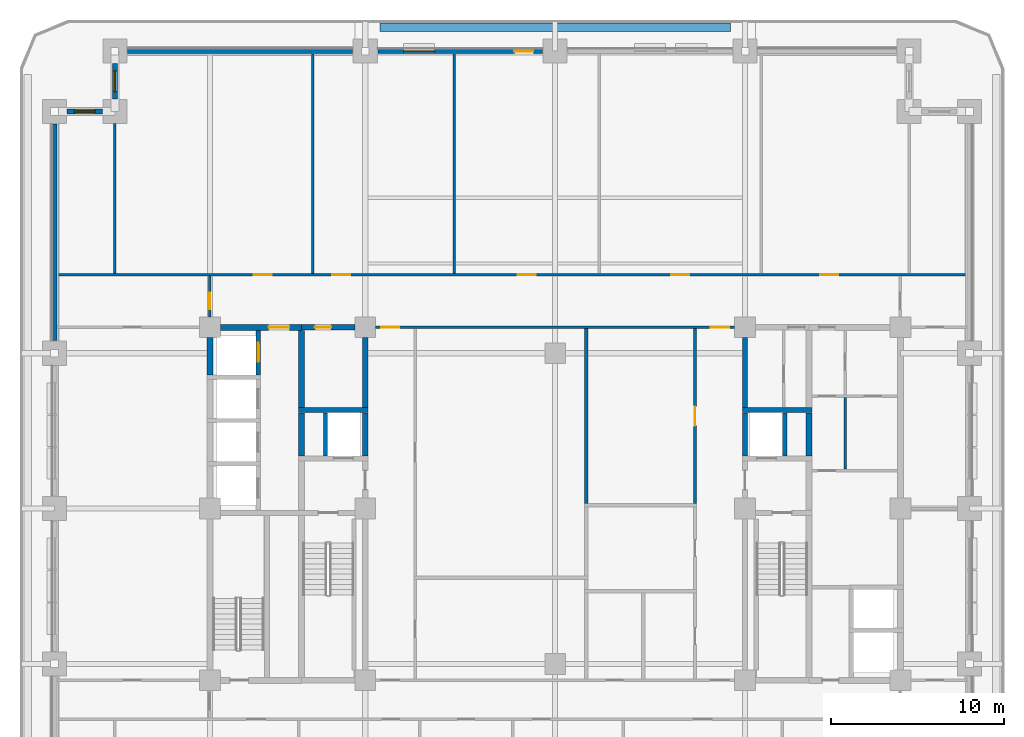
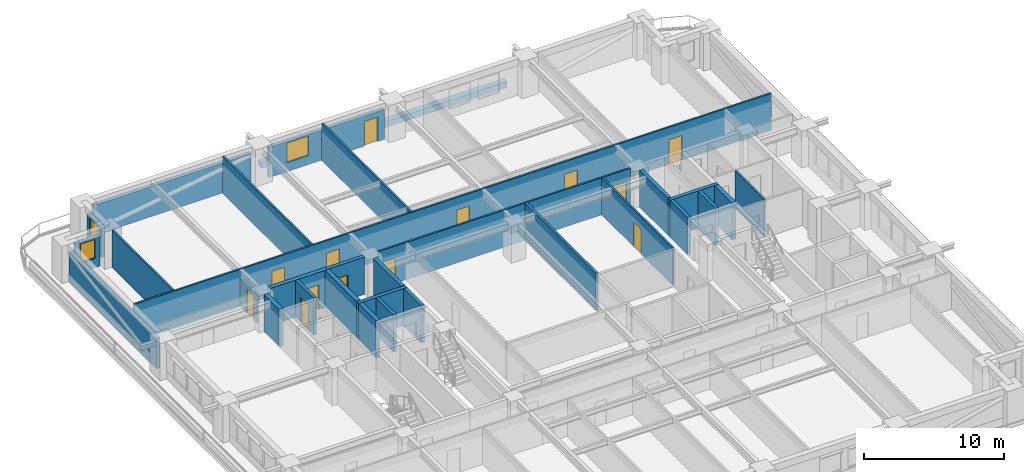
# One storey, part 5 of 16: 30 walls, 13 doors, 3 windows, 16 openings.
"""IFC4 building model written with IfcOpenShell, lengths in metres."""

import ifcopenshell
import ifcopenshell.guid

model = None  # the IFC model being written
_history = None  # IfcOwnerHistory: only IFC2X3 demands one
_inside = {}  # id of a spatial element -> (the spatial element, [elements in it])
_under = {}  # id of a project, library or spatial element -> (it, [spatial elements below it])
_declared = {}  # id of a project -> (the project, [libraries it declares])
_typed = {}  # id of a type object -> (the type object, [elements of that type])
_made_of = {}  # id of a material, layer set ... -> (it, [elements and type objects made of it])


def new_model(schema):
    """Start an empty IFC model of exactly this schema.

    Asked for "IFC4X3", IfcOpenShell would pick the latest addendum, in which some entities
    have other attributes; the version numbers below select the first issue.
    IFC2X3 requires an IfcOwnerHistory on every rooted entity: one is made here for all.
    """
    global model, _history
    if schema == "IFC4X3":
        model = ifcopenshell.file(schema_version=(4, 3, 0, 0))
    else:
        model = ifcopenshell.file(schema=schema)
    _inside.clear()
    _under.clear()
    _declared.clear()
    _typed.clear()
    _made_of.clear()
    _history = None
    if model.schema == "IFC2X3":
        org = make("IfcOrganization", Name="unknown")
        user = make(
            "IfcPersonAndOrganization",
            ThePerson=make("IfcPerson", FamilyName="unknown"),
            TheOrganization=org,
        )
        app = make(
            "IfcApplication",
            ApplicationDeveloper=org,
            Version="unknown",
            ApplicationFullName="unknown",
            ApplicationIdentifier="unknown",
        )
        _history = make(
            "IfcOwnerHistory",
            OwningUser=user,
            OwningApplication=app,
            ChangeAction="ADDED",
            CreationDate=0,
        )
    return model


def make(cls, **values):
    """One entity of the class cls with the attributes given. An attribute that is None is left unset."""
    return model.create_entity(
        cls, **{name: value for name, value in values.items() if value is not None}
    )


def rooted(cls, **values):
    """An entity with a GlobalId (a new one), such as an element, a storey or a relation."""
    return make(cls, GlobalId=ifcopenshell.guid.new(), OwnerHistory=_history, **values)


def si_unit(unit_type, name, prefix=None):
    """IfcSIUnit, for example si_unit("LENGTHUNIT", "METRE", prefix="MILLI")."""
    return make("IfcSIUnit", UnitType=unit_type, Prefix=prefix, Name=name)


def assignment(units):
    """IfcUnitAssignment: the units of a project."""
    return None if units is None else make("IfcUnitAssignment", Units=units)


def point(xyz):
    """IfcCartesianPoint."""
    return None if xyz is None else make("IfcCartesianPoint", Coordinates=xyz)


def direction(xyz):
    """IfcDirection."""
    return None if xyz is None else make("IfcDirection", DirectionRatios=xyz)


def frame(location, z_axis=None, x_axis=None):
    """IfcAxis2Placement3D, a coordinate frame: its origin and axes. An axis left out is left unset."""
    return make(
        "IfcAxis2Placement3D",
        Location=point(location),
        Axis=direction(z_axis),
        RefDirection=direction(x_axis),
    )


def frame_2d(location, x_axis=None):
    """IfcAxis2Placement2D, a coordinate frame in the plane: its origin and x axis."""
    return make(
        "IfcAxis2Placement2D", Location=point(location), RefDirection=direction(x_axis)
    )


def origin():
    """The frame at (0, 0, 0) with its axes left unset."""
    return frame((0.0, 0.0, 0.0))


def place(relative_to, where):
    """IfcLocalPlacement: puts the frame where relative to a parent placement (None: the world)."""
    return make(
        "IfcLocalPlacement", PlacementRelTo=relative_to, RelativePlacement=where
    )


def context(
    kind, dimensions, precision=None, world=None, true_north=None, identifier=None
):
    """IfcGeometricRepresentationContext, for example the 3D "Model" context."""
    return make(
        "IfcGeometricRepresentationContext",
        ContextIdentifier=identifier,
        ContextType=kind,
        CoordinateSpaceDimension=dimensions,
        Precision=precision,
        WorldCoordinateSystem=world,
        TrueNorth=true_north,
    )


def subcontext(parent, identifier, kind, view, scale=None):
    """IfcGeometricRepresentationSubContext, for example "Body" below "Model"."""
    return make(
        "IfcGeometricRepresentationSubContext",
        ContextIdentifier=identifier,
        ContextType=kind,
        ParentContext=parent,
        TargetScale=scale,
        TargetView=view,
    )


def project(units=None, contexts=None):
    """IfcProject with its units and contexts."""
    return rooted(
        "IfcProject",
        Name="project",
        RepresentationContexts=contexts,
        UnitsInContext=assignment(units),
    )


def spatial(cls, under=None, at=None, **own):
    """A site, building, storey or space (cls), placed at a placement, below another one or the project."""
    s = rooted(cls, ObjectPlacement=at, **own)
    if under is not None:
        _under.setdefault(under.id(), (under, []))[1].append(s)
    return s


def profile(cls, at=None, kind="AREA", **sizes):
    """A parametric profile (cls). Its sizes go by their IFC names, for example OverallWidth=200.0."""
    return make(cls, ProfileType=kind, Position=at, **sizes)


def rectangle(**sizes):
    """IfcRectangleProfileDef."""
    return profile("IfcRectangleProfileDef", **sizes)


def extrude(swept, where, along, depth):
    """IfcExtrudedAreaSolid: the profile swept, set in the frame where, extruded along a direction by depth."""
    return make(
        "IfcExtrudedAreaSolid",
        SweptArea=swept,
        Position=where,
        ExtrudedDirection=direction(along),
        Depth=depth,
    )


def shape(context_of_items, identifier, shape_type, items):
    """IfcShapeRepresentation: the items that make up one representation, for example the "Body"."""
    return make(
        "IfcShapeRepresentation",
        ContextOfItems=context_of_items,
        RepresentationIdentifier=identifier,
        RepresentationType=shape_type,
        Items=items,
    )


def material(Name=None, Category=None):
    """IfcMaterial."""
    return make("IfcMaterial", Name=Name, Category=Category)


def layer(
    of_material, thickness, ventilated=None, Name=None, Category=None, Priority=None
):
    """IfcMaterialLayer: one layer of a wall or slab, of a material (None: an air gap)."""
    return make(
        "IfcMaterialLayer",
        Material=of_material,
        LayerThickness=thickness,
        IsVentilated=ventilated,
        Name=Name,
        Category=Category,
        Priority=Priority,
    )


def layer_set(layers, Name=None):
    """IfcMaterialLayerSet."""
    return make("IfcMaterialLayerSet", MaterialLayers=layers, LayerSetName=Name)


def made_of(thing, what):
    """Note that an element or type object is made of a material, layer set ...; save() writes the relation."""
    if what is not None:
        _made_of.setdefault(what.id(), (what, []))[1].append(thing)
    return thing


def type_object(cls, material=None, **own):
    """A type object (cls), such as IfcWallType, which elements share."""
    return made_of(rooted(cls, **own), material)


def element(
    cls,
    number,
    at=None,
    inside=None,
    cuts=None,
    type_object=None,
    material=None,
    context=None,
    identifier="Body",
    shape_type=None,
    held_by="IfcProductDefinitionShape",
    body=None,
    shapes=None,
    **own,
):
    """One element of the class cls, such as IfcWall. Its Tag is "e" and its number.

    at: its placement. inside: the storey or other place that contains it. cuts: it is an
    opening in that element (IfcRelVoidsElement). A single representation is given by context,
    identifier, shape_type and body (its items); several are given by shapes. held_by: the class
    of the entity that holds the representations. save() writes the other relations.
    """
    e = rooted(cls, Tag="e%d" % number, ObjectPlacement=at, **own)
    if body is not None:
        shapes = [shape(context, identifier, shape_type, body)]
    if shapes is not None:
        e.Representation = make(held_by, Representations=shapes)
    if inside is not None:
        _inside.setdefault(inside.id(), (inside, []))[1].append(e)
    if cuts is not None:
        rooted(
            "IfcRelVoidsElement", RelatingBuildingElement=cuts, RelatedOpeningElement=e
        )
    if type_object is not None:
        _typed.setdefault(type_object.id(), (type_object, []))[1].append(e)
    return made_of(e, material)


def fill(opening, filler):
    """IfcRelFillsElement: the door or window that sits in an opening."""
    return rooted(
        "IfcRelFillsElement",
        RelatingOpeningElement=opening,
        RelatedBuildingElement=filler,
    )


def aggregate(whole, parts):
    """IfcRelAggregates: a whole, such as a stair, and the parts it consists of."""
    return rooted("IfcRelAggregates", RelatingObject=whole, RelatedObjects=parts)


def save(model, path):
    """Write the relations noted so far, then the file.

    IfcRelAggregates (storeys below a building ...), IfcRelContainedInSpatialStructure (elements
    in a storey), IfcRelDefinesByType, IfcRelAssociatesMaterial and IfcRelDeclares: one each for
    every whole, place, type object, material and project.
    """
    for whole, parts in _under.values():
        aggregate(whole, parts)
    for where, things in _inside.values():
        rooted(
            "IfcRelContainedInSpatialStructure",
            RelatedElements=things,
            RelatingStructure=where,
        )
    for kind, things in _typed.values():
        rooted("IfcRelDefinesByType", RelatedObjects=things, RelatingType=kind)
    for what, things in _made_of.values():
        rooted("IfcRelAssociatesMaterial", RelatedObjects=things, RelatingMaterial=what)
    for by, libraries in _declared.values():
        rooted("IfcRelDeclares", RelatingContext=by, RelatedDefinitions=libraries)
    model.write(path)


model = new_model("IFC4")

# Units and contexts
model_context = context("Model", 3, precision=1e-05, world=origin(), true_north=direction((0.0, 1.0)))
body_context = subcontext(model_context, "Body", "Model", "MODEL_VIEW")
ifc_project = project(units=[si_unit("LENGTHUNIT", "METRE"), si_unit("AREAUNIT", "SQUARE_METRE"), si_unit("VOLUMEUNIT", "CUBIC_METRE"), si_unit("PLANEANGLEUNIT", "RADIAN"), si_unit("MASSUNIT", "GRAM", prefix="KILO")], contexts=[model_context])

# Site, building, storey
site_placement = place(None, origin())
site = spatial("IfcSite", under=ifc_project, at=site_placement, CompositionType="ELEMENT")
building_placement = place(site_placement, origin())
building = spatial("IfcBuilding", under=site, at=building_placement, Name="Zulmaris Gate Convention Tower", CompositionType="ELEMENT")
storey_placement = place(building_placement, frame((0.0, 0.0, 67.89990234375)))
storey = spatial("IfcBuildingStorey", under=building, at=storey_placement, Name="L16", CompositionType="ELEMENT", Elevation=67.89990234375)

# Wall, opening, door
ifc_material_1 = material(Name="Concrete C50/60", Category="concrete")
ifc_layer_1 = layer(ifc_material_1, 0.25, Name="Concrete C50/60")
ifc_layer_set_1 = layer_set([ifc_layer_1], Name="Concrete C50/60")
wall_type_1 = type_object("IfcWallType", Name="CORE-250", PredefinedType="SOLIDWALL", material=ifc_layer_set_1)
wall_1_placement = place(storey_placement, frame((-17.199951171875, 7.72705078125, 0.0), z_axis=(0.0, 0.0, 1.0), x_axis=(0.0, 1.0, 0.0)))
wall_1 = element("IfcWall", 1, at=wall_1_placement, inside=storey, type_object=wall_type_1, Name="WL-L16-043", PredefinedType="SOLIDWALL", context=body_context, shape_type="SweptSolid", body=[
    extrude(rectangle(XDim=2.595947265625, YDim=0.25, at=frame_2d((1.2978515625, 0.0))), origin(), (0.0, 0.0, 1.0), 3.2451171875),
])
opening_1_placement = place(wall_1_placement, frame((0.77294921875, 0.0, 0.0)))
opening_1 = element("IfcOpeningElement", 2, at=opening_1_placement, cuts=wall_1, Name="Opening D-06", PredefinedType="OPENING", context=body_context, shape_type="SweptSolid", body=[
    extrude(rectangle(XDim=1.10009765625, YDim=2.199951171875, at=frame_2d((0.550048828125, 1.10009765625))), frame((0.0, 0.135009765625, 0.0), z_axis=(0.0, -1.0, 0.0), x_axis=(1.0, 0.0, 0.0)), (0.0, 0.0, 1.0), 0.27001953125),
])
ifc_material_2 = material(Name="Brushed Stainless Steel", Category="steel")
door_type_1 = type_object("IfcDoorType", Name="LD-1100", OperationType="NOTDEFINED", PredefinedType="DOOR", material=ifc_material_2)
door_1_placement = place(opening_1_placement, origin())
door_1 = element("IfcDoor", 3, at=door_1_placement, inside=storey, type_object=door_type_1, Name="L16 Lift Landing Door LP-04 15", OperationType="SLIDING_TO_LEFT", OverallHeight=2.199951171875, OverallWidth=1.10009765625, PredefinedType="DOOR", context=body_context, shape_type="SweptSolid", body=[
    extrude(rectangle(XDim=1.10009765625, YDim=2.199951171875, at=frame_2d((0.550048828125, 1.10009765625))), frame((0.0, 0.02490234375, 0.0), z_axis=(0.0, -1.0, 0.0), x_axis=(1.0, 0.0, 0.0)), (0.0, 0.0, 1.0), 0.050048828125),
])
fill(opening_1, door_1)

# Walls
for number, where, z_axis, x_axis, name in (
    (4, (-13.300048828125, 3.052001953125, 0.0), (0.0, 0.0, 1.0), (0.0, 1.0, 0.0), "WL-L16-049"),
    (5, (13.300048828125, 3.052001953125, 0.0), (0.0, 0.0, 1.0), (0.0, 1.0, 0.0), "WL-L16-060"),
):
    element("IfcWall", number, at=place(storey_placement, frame(where, z_axis=z_axis, x_axis=x_axis)), inside=storey, type_object=wall_type_1, Name=name, PredefinedType="SOLIDWALL", context=body_context, shape_type="SweptSolid", body=[
        extrude(rectangle(XDim=2.49609375, YDim=0.25, at=frame_2d((1.248046875, 0.0))), origin(), (0.0, 0.0, 1.0), 3.2451171875),
    ])
ifc_layer_2 = layer(ifc_material_1, 0.300048828125, Name="Concrete C50/60")
ifc_layer_set_2 = layer_set([ifc_layer_2], Name="Concrete C50/60")
wall_type_2 = type_object("IfcWallType", Name="CORE-300", PredefinedType="SHEAR", material=ifc_layer_set_2)
for number, where, z_axis, x_axis, name in (
    (6, (-14.875, 5.699951171875, 0.0), (0.0, 0.0, 1.0), (1.0, 0.0, 0.0), "WL-L16-013"),
    (7, (10.85009765625, 5.699951171875, 0.0), (0.0, 0.0, 1.0), (1.0, 0.0, 0.0), "WL-L16-014"),
):
    element("IfcWall", number, at=place(storey_placement, frame(where, z_axis=z_axis, x_axis=x_axis)), inside=storey, type_object=wall_type_2, Name=name, PredefinedType="SHEAR", context=body_context, shape_type="SweptSolid", body=[
        extrude(rectangle(XDim=4.02490234375, YDim=0.300048828125, at=frame_2d((2.012451171875, 0.0))), origin(), (0.0, 0.0, 1.0), 3.2451171875),
    ])

# Wall, opening, door
wall_2_placement = place(storey_placement, frame((-14.699951171875, 10.5, 0.0), z_axis=(0.0, 0.0, 1.0), x_axis=(1.0, 0.0, 0.0)))
wall_2 = element("IfcWall", 8, at=wall_2_placement, inside=storey, type_object=wall_type_2, Name="WL-L16-017", PredefinedType="SHEAR", context=body_context, shape_type="SweptSolid", body=[
    extrude(rectangle(XDim=3.095947265625, YDim=0.300048828125, at=frame_2d((1.5478515625, 0.0))), origin(), (0.0, 0.0, 1.0), 3.2451171875),
])
opening_2_placement = place(wall_2_placement, frame((0.77490234375, 0.0, 0.0)))
opening_2 = element("IfcOpeningElement", 9, at=opening_2_placement, cuts=wall_2, Name="Opening D-11", PredefinedType="OPENING", context=body_context, shape_type="SweptSolid", body=[
    extrude(rectangle(XDim=0.949951171875, YDim=2.14990234375, at=frame_2d((0.47509765625, 1.074951171875))), frame((0.0, 0.16015625, 0.0), z_axis=(0.0, -1.0, 0.0), x_axis=(1.0, 0.0, 0.0)), (0.0, 0.0, 1.0), 0.320068359375),
])
ifc_material_3 = material(Name="Fire-Rated Timber", Category="wood")
door_type_2 = type_object("IfcDoorType", Name="DR-950-FD", OperationType="NOTDEFINED", PredefinedType="DOOR", material=ifc_material_3)
door_2_placement = place(opening_2_placement, origin())
door_2 = element("IfcDoor", 10, at=door_2_placement, inside=storey, type_object=door_type_2, Name="L16 Core Archive Door 07", OperationType="SINGLE_SWING_RIGHT", OverallHeight=2.14990234375, OverallWidth=0.949951171875, PredefinedType="DOOR", context=body_context, shape_type="SweptSolid", body=[
    extrude(rectangle(XDim=0.949951171875, YDim=2.14990234375, at=frame_2d((0.47509765625, 1.074951171875))), frame((0.0, 0.02490234375, 0.0), z_axis=(0.0, -1.0, 0.0), x_axis=(1.0, 0.0, 0.0)), (0.0, 0.0, 1.0), 0.050048828125),
])
fill(opening_2, door_2)

# Walls
wall_3_placement = place(storey_placement, frame((-11.0, 3.052001953125, 0.0), z_axis=(0.0, 0.0, 1.0), x_axis=(0.0, 1.0, 0.0)))
element("IfcWall", 11, at=wall_3_placement, inside=storey, type_object=wall_type_2, Name="WL-L16-053", PredefinedType="SHEAR", context=body_context, shape_type="SweptSolid", body=[
    extrude(rectangle(XDim=2.49609375, YDim=0.300048828125, at=frame_2d((1.248046875, 0.0))), origin(), (0.0, 0.0, 1.0), 3.2451171875),
])
wall_4_placement = place(storey_placement, frame((-11.0, 5.85205078125, 0.0), z_axis=(0.0, 0.0, 1.0), x_axis=(0.0, 1.0, 0.0)))
element("IfcWall", 12, at=wall_4_placement, inside=storey, type_object=wall_type_2, Name="WL-L16-054", PredefinedType="SHEAR", context=body_context, shape_type="SweptSolid", body=[
    extrude(rectangle(XDim=4.0439453125, YDim=0.300048828125, at=frame_2d((2.02197265625, 0.0))), origin(), (0.0, 0.0, 1.0), 3.2451171875),
])
wall_5_placement = place(storey_placement, frame((11.0, 3.052001953125, 0.0), z_axis=(0.0, 0.0, 1.0), x_axis=(0.0, 1.0, 0.0)))
element("IfcWall", 13, at=wall_5_placement, inside=storey, type_object=wall_type_2, Name="WL-L16-057", PredefinedType="SHEAR", context=body_context, shape_type="SweptSolid", body=[
    extrude(rectangle(XDim=2.49609375, YDim=0.300048828125, at=frame_2d((1.248046875, 0.0))), origin(), (0.0, 0.0, 1.0), 3.2451171875),
])
wall_6_placement = place(storey_placement, frame((11.0, 5.85205078125, 0.0), z_axis=(0.0, 0.0, 1.0), x_axis=(0.0, 1.0, 0.0)))
element("IfcWall", 14, at=wall_6_placement, inside=storey, type_object=wall_type_2, Name="WL-L16-058", PredefinedType="SHEAR", context=body_context, shape_type="SweptSolid", body=[
    extrude(rectangle(XDim=4.0439453125, YDim=0.300048828125, at=frame_2d((2.02197265625, 0.0))), origin(), (0.0, 0.0, 1.0), 3.2451171875),
])

# Wall, opening, door
ifc_material_4 = material(Name="Concrete C55/67", Category="concrete")
ifc_layer_3 = layer(ifc_material_4, 0.35009765625, Name="Concrete C55/67")
ifc_layer_set_3 = layer_set([ifc_layer_3], Name="Concrete C55/67")
wall_type_3 = type_object("IfcWallType", Name="CORE-350", PredefinedType="SHEAR", material=ifc_layer_set_3)
wall_7_placement = place(storey_placement, frame((-19.39599609375, 10.5, 0.0), z_axis=(0.0, 0.0, 1.0), x_axis=(1.0, 0.0, 0.0)))
wall_7 = element("IfcWall", 15, at=wall_7_placement, inside=storey, type_object=wall_type_3, Name="WL-L16-016", PredefinedType="SHEAR", context=body_context, shape_type="SweptSolid", body=[
    extrude(rectangle(XDim=4.696044921875, YDim=0.35009765625, at=frame_2d((2.34814453125, 0.0))), origin(), (0.0, 0.0, 1.0), 3.2451171875),
])
opening_3_placement = place(wall_7_placement, frame((2.7958984375, 0.0, 0.0)))
opening_3 = element("IfcOpeningElement", 16, at=opening_3_placement, cuts=wall_7, Name="Opening D-13", PredefinedType="OPENING", context=body_context, shape_type="SweptSolid", body=[
    extrude(rectangle(XDim=1.199951171875, YDim=2.14990234375, at=frame_2d((0.60009765625, 1.074951171875))), frame((0.0, 0.18505859375, 0.0), z_axis=(0.0, -1.0, 0.0), x_axis=(1.0, 0.0, 0.0)), (0.0, 0.0, 1.0), 0.3701171875),
])
ifc_material_5 = material(Name="Fire-Rated Steel", Category="steel")
door_type_3 = type_object("IfcDoorType", Name="DR-1200-FD", OperationType="NOTDEFINED", PredefinedType="DOOR", material=ifc_material_5)
door_3_placement = place(opening_3_placement, origin())
door_3 = element("IfcDoor", 17, at=door_3_placement, inside=storey, type_object=door_type_3, Name="L16 Low-Rise Lift Lobby Door 11", OperationType="SINGLE_SWING_RIGHT", OverallHeight=2.14990234375, OverallWidth=1.199951171875, PredefinedType="DOOR", context=body_context, shape_type="SweptSolid", body=[
    extrude(rectangle(XDim=1.199951171875, YDim=2.14990234375, at=frame_2d((0.60009765625, 1.074951171875))), frame((0.0, 0.02490234375, 0.0), z_axis=(0.0, -1.0, 0.0), x_axis=(1.0, 0.0, 0.0)), (0.0, 0.0, 1.0), 0.050048828125),
])
fill(opening_3, door_3)

# Walls
wall_8_placement = place(storey_placement, frame((-20.0, 7.72705078125, 0.0), z_axis=(0.0, 0.0, 1.0), x_axis=(0.0, 1.0, 0.0)))
element("IfcWall", 18, at=wall_8_placement, inside=storey, type_object=wall_type_3, Name="WL-L16-039", PredefinedType="SHEAR", context=body_context, shape_type="SweptSolid", body=[
    extrude(rectangle(XDim=2.1689453125, YDim=0.35009765625, at=frame_2d((1.08447265625, 0.0))), origin(), (0.0, 0.0, 1.0), 3.2451171875),
])
wall_9_placement = place(storey_placement, frame((-14.699951171875, 3.052001953125, 0.0), z_axis=(0.0, 0.0, 1.0), x_axis=(0.0, 1.0, 0.0)))
element("IfcWall", 19, at=wall_9_placement, inside=storey, type_object=wall_type_3, Name="WL-L16-047", PredefinedType="SHEAR", context=body_context, shape_type="SweptSolid", body=[
    extrude(rectangle(XDim=2.49609375, YDim=0.35009765625, at=frame_2d((1.248046875, 0.0))), origin(), (0.0, 0.0, 1.0), 3.2451171875),
])
wall_10_placement = place(storey_placement, frame((-14.699951171875, 5.85205078125, 0.0), z_axis=(0.0, 0.0, 1.0), x_axis=(0.0, 1.0, 0.0)))
element("IfcWall", 20, at=wall_10_placement, inside=storey, type_object=wall_type_3, Name="WL-L16-048", PredefinedType="SHEAR", context=body_context, shape_type="SweptSolid", body=[
    extrude(rectangle(XDim=4.470947265625, YDim=0.35009765625, at=frame_2d((2.2353515625, 0.0))), origin(), (0.0, 0.0, 1.0), 3.2451171875),
])
wall_11_placement = place(storey_placement, frame((14.699951171875, 3.052001953125, 0.0), z_axis=(0.0, 0.0, 1.0), x_axis=(0.0, 1.0, 0.0)))
element("IfcWall", 21, at=wall_11_placement, inside=storey, type_object=wall_type_3, Name="WL-L16-063", PredefinedType="SHEAR", context=body_context, shape_type="SweptSolid", body=[
    extrude(rectangle(XDim=2.49609375, YDim=0.35009765625, at=frame_2d((1.248046875, 0.0))), origin(), (0.0, 0.0, 1.0), 3.2451171875),
])

# Wall, openings, doors
ifc_material_6 = material(Name="Gypsum Metal Stud Partition")
ifc_layer_4 = layer(ifc_material_6, 0.14990234375, Name="Gypsum Metal Stud Partition")
ifc_layer_set_4 = layer_set([ifc_layer_4], Name="Gypsum Metal Stud Partition")
wall_type_4 = type_object("IfcWallType", Name="PART-150", PredefinedType="PARTITIONING", material=ifc_layer_set_4)
wall_12_placement = place(storey_placement, frame((-10.39404296875, 10.5, 0.0), z_axis=(0.0, 0.0, 1.0), x_axis=(1.0, 0.0, 0.0)))
wall_12 = element("IfcWall", 22, at=wall_12_placement, inside=storey, type_object=wall_type_4, Name="WL-L16-032", PredefinedType="PARTITIONING", context=body_context, shape_type="SweptSolid", body=[
    extrude(rectangle(XDim=20.7880859375, YDim=0.14990234375, at=frame_2d((10.39404296875, 0.0))), origin(), (0.0, 0.0, 1.0), 3.2451171875),
])
opening_4_placement = place(wall_12_placement, frame((0.319091796875, 0.0, 0.0)))
opening_4 = element("IfcOpeningElement", 23, at=opening_4_placement, cuts=wall_12, Name="Opening D-09", PredefinedType="OPENING", context=body_context, shape_type="SweptSolid", body=[
    extrude(rectangle(XDim=1.050048828125, YDim=2.14990234375, at=frame_2d((0.52490234375, 1.074951171875))), frame((0.0, 0.0849609375, 0.0), z_axis=(0.0, -1.0, 0.0), x_axis=(1.0, 0.0, 0.0)), (0.0, 0.0, 1.0), 0.169921875),
])
opening_5_placement = place(wall_12_placement, frame((19.4189453125, 0.0, 0.0)))
opening_5 = element("IfcOpeningElement", 24, at=opening_5_placement, cuts=wall_12, Name="Opening D-09", PredefinedType="OPENING", context=body_context, shape_type="SweptSolid", body=[
    extrude(rectangle(XDim=1.050048828125, YDim=2.14990234375, at=frame_2d((0.52490234375, 1.074951171875))), frame((0.0, 0.0849609375, 0.0), z_axis=(0.0, -1.0, 0.0), x_axis=(1.0, 0.0, 0.0)), (0.0, 0.0, 1.0), 0.169921875),
])
door_type_4 = type_object("IfcDoorType", Name="DR-1050-FD", OperationType="NOTDEFINED", PredefinedType="DOOR", material=ifc_material_5)
door_4_placement = place(opening_4_placement, origin())
door_4 = element("IfcDoor", 25, at=door_4_placement, inside=storey, type_object=door_type_4, Name="L16 NW Spine Link Door 22", OperationType="SINGLE_SWING_LEFT", OverallHeight=2.14990234375, OverallWidth=1.050048828125, PredefinedType="DOOR", context=body_context, shape_type="SweptSolid", body=[
    extrude(rectangle(XDim=1.050048828125, YDim=2.14990234375, at=frame_2d((0.52490234375, 1.074951171875))), frame((0.0, 0.02490234375, 0.0), z_axis=(0.0, -1.0, 0.0), x_axis=(1.0, 0.0, 0.0)), (0.0, 0.0, 1.0), 0.050048828125),
])
fill(opening_4, door_4)
door_5_placement = place(opening_5_placement, origin())
door_5 = element("IfcDoor", 26, at=door_5_placement, inside=storey, type_object=door_type_4, Name="L16 NE Spine Link Door 24", OperationType="SINGLE_SWING_LEFT", OverallHeight=2.14990234375, OverallWidth=1.050048828125, PredefinedType="DOOR", context=body_context, shape_type="SweptSolid", body=[
    extrude(rectangle(XDim=1.050048828125, YDim=2.14990234375, at=frame_2d((0.52490234375, 1.074951171875))), frame((0.0, 0.02490234375, 0.0), z_axis=(0.0, -1.0, 0.0), x_axis=(1.0, 0.0, 0.0)), (0.0, 0.0, 1.0), 0.050048828125),
])
fill(opening_5, door_5)

wall_13_placement = place(storey_placement, frame((-28.8349609375, 13.550048828125, 0.0), z_axis=(0.0, 0.0, 1.0), x_axis=(1.0, 0.0, 0.0)))
wall_13 = element("IfcWall", 27, at=wall_13_placement, inside=storey, type_object=wall_type_4, Name="WL-L16-034", PredefinedType="PARTITIONING", context=body_context, shape_type="SweptSolid", body=[
    extrude(rectangle(XDim=52.669921875, YDim=0.14990234375, at=frame_2d((26.3349609375, 0.0))), origin(), (0.0, 0.0, 1.0), 3.2451171875),
])
opening_6_placement = place(wall_13_placement, frame((11.3798828125, 0.0, 0.0)))
opening_6 = element("IfcOpeningElement", 28, at=opening_6_placement, cuts=wall_13, Name="Opening D-09", PredefinedType="OPENING", context=body_context, shape_type="SweptSolid", body=[
    extrude(rectangle(XDim=1.050048828125, YDim=2.14990234375, at=frame_2d((0.52490234375, 1.074951171875))), frame((0.0, 0.0849609375, 0.0), z_axis=(0.0, -1.0, 0.0), x_axis=(1.0, 0.0, 0.0)), (0.0, 0.0, 1.0), 0.169921875),
])
opening_7_placement = place(wall_13_placement, frame((15.909912109375, 0.0, 0.0)))
opening_7 = element("IfcOpeningElement", 29, at=opening_7_placement, cuts=wall_13, Name="Opening D-09", PredefinedType="OPENING", context=body_context, shape_type="SweptSolid", body=[
    extrude(rectangle(XDim=1.050048828125, YDim=2.14990234375, at=frame_2d((0.52490234375, 1.074951171875))), frame((0.0, 0.0849609375, 0.0), z_axis=(0.0, -1.0, 0.0), x_axis=(1.0, 0.0, 0.0)), (0.0, 0.0, 1.0), 0.169921875),
])
opening_8_placement = place(wall_13_placement, frame((26.659912109375, 0.0, 0.0)))
opening_8 = element("IfcOpeningElement", 30, at=opening_8_placement, cuts=wall_13, Name="Opening D-09", PredefinedType="OPENING", context=body_context, shape_type="SweptSolid", body=[
    extrude(rectangle(XDim=1.050048828125, YDim=2.14990234375, at=frame_2d((0.52490234375, 1.074951171875))), frame((0.0, 0.0849609375, 0.0), z_axis=(0.0, -1.0, 0.0), x_axis=(1.0, 0.0, 0.0)), (0.0, 0.0, 1.0), 0.169921875),
])
opening_9_placement = place(wall_13_placement, frame((35.56005859375, 0.0, 0.0)))
opening_9 = element("IfcOpeningElement", 31, at=opening_9_placement, cuts=wall_13, Name="Opening D-09", PredefinedType="OPENING", context=body_context, shape_type="SweptSolid", body=[
    extrude(rectangle(XDim=1.050048828125, YDim=2.14990234375, at=frame_2d((0.52490234375, 1.074951171875))), frame((0.0, 0.0849609375, 0.0), z_axis=(0.0, -1.0, 0.0), x_axis=(1.0, 0.0, 0.0)), (0.0, 0.0, 1.0), 0.169921875),
])
opening_10_placement = place(wall_13_placement, frame((44.18994140625, 0.0, 0.0)))
opening_10 = element("IfcOpeningElement", 32, at=opening_10_placement, cuts=wall_13, Name="Opening D-09", PredefinedType="OPENING", context=body_context, shape_type="SweptSolid", body=[
    extrude(rectangle(XDim=1.050048828125, YDim=2.14990234375, at=frame_2d((0.52490234375, 1.074951171875))), frame((0.0, 0.0849609375, 0.0), z_axis=(0.0, -1.0, 0.0), x_axis=(1.0, 0.0, 0.0)), (0.0, 0.0, 1.0), 0.169921875),
])
door_6_placement = place(opening_6_placement, origin())
door_6 = element("IfcDoor", 33, at=door_6_placement, inside=storey, type_object=door_type_4, Name="L16 Executive Boardroom Door 26", OperationType="SINGLE_SWING_LEFT", OverallHeight=2.14990234375, OverallWidth=1.050048828125, PredefinedType="DOOR", context=body_context, shape_type="SweptSolid", body=[
    extrude(rectangle(XDim=1.050048828125, YDim=2.14990234375, at=frame_2d((0.52490234375, 1.074951171875))), frame((0.0, 0.02490234375, 0.0), z_axis=(0.0, -1.0, 0.0), x_axis=(1.0, 0.0, 0.0)), (0.0, 0.0, 1.0), 0.050048828125),
])
fill(opening_6, door_6)
door_7_placement = place(opening_7_placement, origin())
door_7 = element("IfcDoor", 34, at=door_7_placement, inside=storey, type_object=door_type_4, Name="L16 Corporate Strategy Office Door 27", OperationType="SINGLE_SWING_RIGHT", OverallHeight=2.14990234375, OverallWidth=1.050048828125, PredefinedType="DOOR", context=body_context, shape_type="SweptSolid", body=[
    extrude(rectangle(XDim=1.050048828125, YDim=2.14990234375, at=frame_2d((0.52490234375, 1.074951171875))), frame((0.0, 0.02490234375, 0.0), z_axis=(0.0, -1.0, 0.0), x_axis=(1.0, 0.0, 0.0)), (0.0, 0.0, 1.0), 0.050048828125),
])
fill(opening_7, door_7)
door_8_placement = place(opening_8_placement, origin())
door_8 = element("IfcDoor", 35, at=door_8_placement, inside=storey, type_object=door_type_4, Name="L16 Project Advisory Studio Door 28", OperationType="SINGLE_SWING_LEFT", OverallHeight=2.14990234375, OverallWidth=1.050048828125, PredefinedType="DOOR", context=body_context, shape_type="SweptSolid", body=[
    extrude(rectangle(XDim=1.050048828125, YDim=2.14990234375, at=frame_2d((0.52490234375, 1.074951171875))), frame((0.0, 0.02490234375, 0.0), z_axis=(0.0, -1.0, 0.0), x_axis=(1.0, 0.0, 0.0)), (0.0, 0.0, 1.0), 0.050048828125),
])
fill(opening_8, door_8)
door_9_placement = place(opening_9_placement, origin())
door_9 = element("IfcDoor", 36, at=door_9_placement, inside=storey, type_object=door_type_4, Name="L16 Policy Research Study Door 29", OperationType="SINGLE_SWING_RIGHT", OverallHeight=2.14990234375, OverallWidth=1.050048828125, PredefinedType="DOOR", context=body_context, shape_type="SweptSolid", body=[
    extrude(rectangle(XDim=1.050048828125, YDim=2.14990234375, at=frame_2d((0.52490234375, 1.074951171875))), frame((0.0, 0.02490234375, 0.0), z_axis=(0.0, -1.0, 0.0), x_axis=(1.0, 0.0, 0.0)), (0.0, 0.0, 1.0), 0.050048828125),
])
fill(opening_9, door_9)
door_10_placement = place(opening_10_placement, origin())
door_10 = element("IfcDoor", 37, at=door_10_placement, inside=storey, type_object=door_type_4, Name="L16 Executive Boardroom Door 30", OperationType="SINGLE_SWING_LEFT", OverallHeight=2.14990234375, OverallWidth=1.050048828125, PredefinedType="DOOR", context=body_context, shape_type="SweptSolid", body=[
    extrude(rectangle(XDim=1.050048828125, YDim=2.14990234375, at=frame_2d((0.52490234375, 1.074951171875))), frame((0.0, 0.02490234375, 0.0), z_axis=(0.0, -1.0, 0.0), x_axis=(1.0, 0.0, 0.0)), (0.0, 0.0, 1.0), 0.050048828125),
])
fill(opening_10, door_10)

# Wall
wall_14_placement = place(storey_placement, frame((-25.5, 13.6279296875, 0.0), z_axis=(0.0, 0.0, 1.0), x_axis=(0.0, 1.0, 0.0)))
element("IfcWall", 38, at=wall_14_placement, inside=storey, type_object=wall_type_4, Name="WL-L16-071", PredefinedType="PARTITIONING", context=body_context, shape_type="SweptSolid", body=[
    extrude(rectangle(XDim=8.666015625, YDim=0.14990234375, at=frame_2d((4.3330078125, 0.0))), origin(), (0.0, 0.0, 1.0), 3.2451171875),
])

# Wall, opening, door
wall_15_placement = place(storey_placement, frame((-20.0, 11.10595703125, 0.0), z_axis=(0.0, 0.0, 1.0), x_axis=(0.0, 1.0, 0.0)))
wall_15 = element("IfcWall", 39, at=wall_15_placement, inside=storey, type_object=wall_type_4, Name="WL-L16-073", PredefinedType="PARTITIONING", context=body_context, shape_type="SweptSolid", body=[
    extrude(rectangle(XDim=2.365966796875, YDim=0.14990234375, at=frame_2d((1.18310546875, 0.0))), origin(), (0.0, 0.0, 1.0), 2.585205078125),
])
opening_11_placement = place(wall_15_placement, frame((0.448974609375, 0.0, 0.0)))
opening_11 = element("IfcOpeningElement", 40, at=opening_11_placement, cuts=wall_15, Name="Opening D-11", PredefinedType="OPENING", context=body_context, shape_type="SweptSolid", body=[
    extrude(rectangle(XDim=0.949951171875, YDim=2.14990234375, at=frame_2d((0.47509765625, 1.074951171875))), frame((0.0, 0.0849609375, 0.0), z_axis=(0.0, -1.0, 0.0), x_axis=(1.0, 0.0, 0.0)), (0.0, 0.0, 1.0), 0.169921875),
])
door_11_placement = place(opening_11_placement, origin())
door_11 = element("IfcDoor", 41, at=door_11_placement, inside=storey, type_object=door_type_2, Name="L16 NW Spur Door 43", OperationType="SINGLE_SWING_RIGHT", OverallHeight=2.14990234375, OverallWidth=0.949951171875, PredefinedType="DOOR", context=body_context, shape_type="SweptSolid", body=[
    extrude(rectangle(XDim=0.949951171875, YDim=2.14990234375, at=frame_2d((0.47509765625, 1.074951171875))), frame((0.0, 0.02490234375, 0.0), z_axis=(0.0, -1.0, 0.0), x_axis=(1.0, 0.0, 0.0)), (0.0, 0.0, 1.0), 0.050048828125),
])
fill(opening_11, door_11)

# Walls
for number, where, z_axis, x_axis, name in (
    (42, (-14.050048828125, 13.6279296875, 0.0), (0.0, 0.0, 1.0), (0.0, 1.0, 0.0), "WL-L16-075"),
    (43, (-5.85009765625, 13.6279296875, 0.0), (0.0, 0.0, 1.0), (0.0, 1.0, 0.0), "WL-L16-079"),
):
    element("IfcWall", number, at=place(storey_placement, frame(where, z_axis=z_axis, x_axis=x_axis)), inside=storey, type_object=wall_type_4, Name=name, PredefinedType="PARTITIONING", context=body_context, shape_type="SweptSolid", body=[
        extrude(rectangle(XDim=12.70703125, YDim=0.14990234375, at=frame_2d((6.353515625, 0.0))), origin(), (0.0, 0.0, 1.0), 3.2451171875),
    ])

# Wall, opening, door
wall_16_placement = place(storey_placement, frame((8.10009765625, 0.302978515625, 0.0), z_axis=(0.0, 0.0, 1.0), x_axis=(0.0, 1.0, 0.0)))
wall_16 = element("IfcWall", 44, at=wall_16_placement, inside=storey, type_object=wall_type_4, Name="WL-L16-090", PredefinedType="PARTITIONING", context=body_context, shape_type="SweptSolid", body=[
    extrude(rectangle(XDim=10.119140625, YDim=0.14990234375, at=frame_2d((5.0595703125, 0.0))), origin(), (0.0, 0.0, 1.0), 3.2451171875),
])
opening_12_placement = place(wall_16_placement, frame((4.4970703125, 0.0, 0.0)))
opening_12 = element("IfcOpeningElement", 45, at=opening_12_placement, cuts=wall_16, Name="Opening D-08", PredefinedType="OPENING", context=body_context, shape_type="SweptSolid", body=[
    extrude(rectangle(XDim=1.10009765625, YDim=2.14990234375, at=frame_2d((0.550048828125, 1.074951171875))), frame((0.0, 0.0849609375, 0.0), z_axis=(0.0, -1.0, 0.0), x_axis=(1.0, 0.0, 0.0)), (0.0, 0.0, 1.0), 0.169921875),
])
door_type_5 = type_object("IfcDoorType", Name="DR-1100-FD", OperationType="NOTDEFINED", PredefinedType="DOOR", material=ifc_material_5)
door_12_placement = place(opening_12_placement, origin())
door_12 = element("IfcDoor", 46, at=door_12_placement, inside=storey, type_object=door_type_5, Name="L16 Seminar Forum Door 39", OperationType="SINGLE_SWING_RIGHT", OverallHeight=2.14990234375, OverallWidth=1.10009765625, PredefinedType="DOOR", context=body_context, shape_type="SweptSolid", body=[
    extrude(rectangle(XDim=1.10009765625, YDim=2.14990234375, at=frame_2d((0.550048828125, 1.074951171875))), frame((0.0, 0.02490234375, 0.0), z_axis=(0.0, -1.0, 0.0), x_axis=(1.0, 0.0, 0.0)), (0.0, 0.0, 1.0), 0.050048828125),
])
fill(opening_12, door_12)

# Walls
wall_17_placement = place(storey_placement, frame((16.800048828125, 2.278076171875, 0.0), z_axis=(0.0, 0.0, 1.0), x_axis=(0.0, 1.0, 0.0)))
element("IfcWall", 47, at=wall_17_placement, inside=storey, type_object=wall_type_4, Name="WL-L16-094", PredefinedType="PARTITIONING", context=body_context, shape_type="SweptSolid", body=[
    extrude(rectangle(XDim=4.14404296875, YDim=0.14990234375, at=frame_2d((2.072021484375, 0.0))), origin(), (0.0, 0.0, 1.0), 3.2451171875),
])
ifc_material_7 = material(Name="Autoclaved Aerated Concrete Block and Plasterboard", Category="concrete")
ifc_layer_5 = layer(ifc_material_7, 0.199951171875, Name="Autoclaved Aerated Concrete Block and Plasterboard")
ifc_layer_set_5 = layer_set([ifc_layer_5], Name="Autoclaved Aerated Concrete Block and Plasterboard")
wall_type_5 = type_object("IfcWallType", Name="PART-200", PredefinedType="PARTITIONING", material=ifc_layer_set_5)
wall_18_placement = place(storey_placement, frame((1.800048828125, 0.302978515625, 0.0), z_axis=(0.0, 0.0, 1.0), x_axis=(0.0, 1.0, 0.0)))
element("IfcWall", 48, at=wall_18_placement, inside=storey, type_object=wall_type_5, Name="WL-L16-084", PredefinedType="PARTITIONING", context=body_context, shape_type="SweptSolid", body=[
    extrude(rectangle(XDim=10.119140625, YDim=0.199951171875, at=frame_2d((5.0595703125, 0.0))), origin(), (0.0, 0.0, 1.0), 3.2451171875),
])
ifc_material_8 = material(Name="Botanical Green Glazed Precast Concrete C40/50", Category="concrete")
ifc_layer_6 = layer(ifc_material_8, 0.419921875, Name="Botanical Green Glazed Precast Concrete C40/50")
ifc_layer_set_6 = layer_set([ifc_layer_6], Name="Botanical Green Glazed Precast Concrete C40/50")
wall_type_6 = type_object("IfcWallType", Name="PLANTER-CURB-200", PredefinedType="PARAPET", material=ifc_layer_set_6)
wall_19_placement = place(storey_placement, frame((-10.14990234375, 27.8798828125, -0.0400390625), z_axis=(0.0, 0.0, 1.0), x_axis=(1.0, 0.0, 0.0)))
element("IfcWall", 49, at=wall_19_placement, inside=storey, type_object=wall_type_6, Name="L16 Full-Length Balcony Tree Planter Trough", PredefinedType="PARAPET", context=body_context, shape_type="SweptSolid", body=[
    extrude(rectangle(XDim=20.2998046875, YDim=0.47998046875, at=frame_2d((10.14990234375, 0.0))), origin(), (0.0, 0.0, 1.0), 0.52001953125),
])

# Wall, opening, window
ifc_material_9 = material(Name="Precast concrete C40/50", Category="concrete")
ifc_layer_7 = layer(ifc_material_9, 0.300048828125, Name="Precast concrete C40/50")
ifc_layer_set_7 = layer_set([ifc_layer_7], Name="Precast concrete C40/50")
wall_type_7 = type_object("IfcWallType", Name="PRECAST-PIER-300", PredefinedType="STANDARD", material=ifc_layer_set_7)
wall_20_placement = place(storey_placement, frame((-25.5, 25.77001953125, 0.0), z_axis=(0.0, 0.0, 1.0), x_axis=(0.0, -1.0, 0.0)))
wall_20 = element("IfcWall", 50, at=wall_20_placement, inside=storey, type_object=wall_type_7, Name="EW-L16-NOTCH-NW1_0", PredefinedType="STANDARD", context=body_context, shape_type="SweptSolid", body=[
    extrude(rectangle(XDim=2.0400390625, YDim=0.300048828125, at=frame_2d((1.02001953125, 0.0))), origin(), (0.0, 0.0, 1.0), 2.63720703125),
])
opening_13_placement = place(wall_20_placement, frame((0.419921875, 0.0, 0.820068359375)))
opening_13 = element("IfcOpeningElement", 51, at=opening_13_placement, cuts=wall_20, Name="Opening W-04", PredefinedType="OPENING", context=body_context, shape_type="SweptSolid", body=[
    extrude(rectangle(XDim=1.199951171875, YDim=1.64990234375, at=frame_2d((0.60009765625, 0.824951171875))), frame((0.0, 0.16015625, 0.0), z_axis=(0.0, -1.0, 0.0), x_axis=(1.0, 0.0, 0.0)), (0.0, 0.0, 1.0), 0.320068359375),
])
ifc_material_10 = material(Name="Low-E Laminated Double Glazing in Aluminium Frame", Category="aluminium")
window_type_1 = type_object("IfcWindowType", Name="WIN-1200x2100", PartitioningType="SINGLE_PANEL", PredefinedType="WINDOW", material=ifc_material_10)
window_1_placement = place(opening_13_placement, origin())
window_1 = element("IfcWindow", 52, at=window_1_placement, inside=storey, type_object=window_type_1, Name="WN-EW-L16-NOTCH-NW1_0", OverallHeight=1.64990234375, OverallWidth=1.199951171875, PartitioningType="SINGLE_PANEL", PredefinedType="WINDOW", context=body_context, shape_type="SweptSolid", body=[
    extrude(rectangle(XDim=1.199951171875, YDim=1.64990234375, at=frame_2d((0.60009765625, 0.824951171875))), frame((0.0, 0.030029296875, 0.0), z_axis=(0.0, -1.0, 0.0), x_axis=(1.0, 0.0, 0.0)), (0.0, 0.0, 1.0), 0.06005859375),
])
fill(opening_13, window_1)

wall_21_placement = place(storey_placement, frame((-26.22998046875, 23.0, 0.0), z_axis=(0.0, 0.0, 1.0), x_axis=(-1.0, 0.0, 0.0)))
wall_21 = element("IfcWall", 53, at=wall_21_placement, inside=storey, type_object=wall_type_7, Name="EW-L16-NOTCH-NW2_0", PredefinedType="STANDARD", context=body_context, shape_type="SweptSolid", body=[
    extrude(rectangle(XDim=2.0400390625, YDim=0.300048828125, at=frame_2d((1.02001953125, 0.0))), origin(), (0.0, 0.0, 1.0), 2.63720703125),
])
opening_14_placement = place(wall_21_placement, frame((0.419921875, 0.0, 0.820068359375)))
opening_14 = element("IfcOpeningElement", 54, at=opening_14_placement, cuts=wall_21, Name="Opening W-04", PredefinedType="OPENING", context=body_context, shape_type="SweptSolid", body=[
    extrude(rectangle(XDim=1.199951171875, YDim=1.64990234375, at=frame_2d((0.60009765625, 0.824951171875))), frame((0.0, 0.16015625, 0.0), z_axis=(0.0, -1.0, 0.0), x_axis=(1.0, 0.0, 0.0)), (0.0, 0.0, 1.0), 0.320068359375),
])
window_2_placement = place(opening_14_placement, origin())
window_2 = element("IfcWindow", 55, at=window_2_placement, inside=storey, type_object=window_type_1, Name="WN-EW-L16-NOTCH-NW2_0", OverallHeight=1.64990234375, OverallWidth=1.199951171875, PartitioningType="SINGLE_PANEL", PredefinedType="WINDOW", context=body_context, shape_type="SweptSolid", body=[
    extrude(rectangle(XDim=1.199951171875, YDim=1.64990234375, at=frame_2d((0.60009765625, 0.824951171875))), frame((0.0, 0.030029296875, 0.0), z_axis=(0.0, -1.0, 0.0), x_axis=(1.0, 0.0, 0.0)), (0.0, 0.0, 1.0), 0.06005859375),
])
fill(opening_14, window_2)

# Wall
wall_22_placement = place(storey_placement, frame((-11.72998046875, 26.5, 0.0), z_axis=(0.0, 0.0, 1.0), x_axis=(-1.0, 0.0, 0.0)))
element("IfcWall", 56, at=wall_22_placement, inside=storey, type_object=wall_type_7, Name="EW-L16-N-0_0", PredefinedType="STANDARD", context=body_context, shape_type="SweptSolid", body=[
    extrude(rectangle(XDim=13.0400390625, YDim=0.300048828125, at=frame_2d((6.52001953125, 0.0))), origin(), (0.0, 0.0, 1.0), 2.63720703125),
])

# Wall, openings, door, window
wall_23_placement = place(storey_placement, frame((-0.72998046875, 26.5, 0.0), z_axis=(0.0, 0.0, 1.0), x_axis=(-1.0, 0.0, 0.0)))
wall_23 = element("IfcWall", 57, at=wall_23_placement, inside=storey, type_object=wall_type_7, Name="EW-L16-N-1_0", PredefinedType="STANDARD", context=body_context, shape_type="SweptSolid", body=[
    extrude(rectangle(XDim=9.5400390625, YDim=0.300048828125, at=frame_2d((4.77001953125, 0.0))), origin(), (0.0, 0.0, 1.0), 2.63720703125),
])
opening_15_placement = place(wall_23_placement, frame((0.534912109375, 0.0, 0.0)))
opening_15 = element("IfcOpeningElement", 58, at=opening_15_placement, cuts=wall_23, Name="Opening D-04", PredefinedType="OPENING", context=body_context, shape_type="SweptSolid", body=[
    extrude(rectangle(XDim=1.10009765625, YDim=2.14990234375, at=frame_2d((0.550048828125, 1.074951171875))), frame((0.0, 0.16015625, 0.0), z_axis=(0.0, -1.0, 0.0), x_axis=(1.0, 0.0, 0.0)), (0.0, 0.0, 1.0), 0.320068359375),
])
opening_16_placement = place(wall_23_placement, frame((6.2548828125, 0.0, 0.780029296875)))
opening_16 = element("IfcOpeningElement", 59, at=opening_16_placement, cuts=wall_23, Name="Opening W-02", PredefinedType="OPENING", context=body_context, shape_type="SweptSolid", body=[
    extrude(rectangle(XDim=1.800048828125, YDim=1.719970703125, at=frame_2d((0.89990234375, 0.85986328125))), frame((0.0, 0.16015625, 0.0), z_axis=(0.0, -1.0, 0.0), x_axis=(1.0, 0.0, 0.0)), (0.0, 0.0, 1.0), 0.320068359375),
])
ifc_material_11 = material(Name="Anodised Aluminium and Laminated Glass", Category="aluminium")
door_type_6 = type_object("IfcDoorType", Name="ED-1100", OperationType="SINGLE_SWING_RIGHT", PredefinedType="DOOR", material=ifc_material_11)
door_13_placement = place(opening_15_placement, origin())
door_13 = element("IfcDoor", 60, at=door_13_placement, inside=storey, type_object=door_type_6, Name="L16 N Planted Terrace Door", OperationType="SINGLE_SWING_LEFT", OverallHeight=2.14990234375, OverallWidth=1.10009765625, PredefinedType="DOOR", context=body_context, shape_type="SweptSolid", body=[
    extrude(rectangle(XDim=1.10009765625, YDim=2.14990234375, at=frame_2d((0.550048828125, 1.074951171875))), frame((0.0, 0.02490234375, 0.0), z_axis=(0.0, -1.0, 0.0), x_axis=(1.0, 0.0, 0.0)), (0.0, 0.0, 1.0), 0.050048828125),
])
fill(opening_15, door_13)
window_type_2 = type_object("IfcWindowType", Name="WIN-1800x2200", PartitioningType="SINGLE_PANEL", PredefinedType="WINDOW", material=ifc_material_10)
window_3_placement = place(opening_16_placement, origin())
window_3 = element("IfcWindow", 61, at=window_3_placement, inside=storey, type_object=window_type_2, Name="WN-EW-L16-N-1_0-3", OverallHeight=1.719970703125, OverallWidth=1.800048828125, PartitioningType="SINGLE_PANEL", PredefinedType="WINDOW", context=body_context, shape_type="SweptSolid", body=[
    extrude(rectangle(XDim=1.800048828125, YDim=1.719970703125, at=frame_2d((0.89990234375, 0.85986328125))), frame((0.0, 0.030029296875, 0.0), z_axis=(0.0, -1.0, 0.0), x_axis=(1.0, 0.0, 0.0)), (0.0, 0.0, 1.0), 0.06005859375),
])
fill(opening_16, window_3)

# Wall
wall_24_placement = place(storey_placement, frame((-29.0, 22.27001953125, 0.0), z_axis=(0.0, 0.0, 1.0), x_axis=(0.0, -1.0, 0.0)))
element("IfcWall", 62, at=wall_24_placement, inside=storey, type_object=wall_type_7, Name="EW-L16-W-3_0", PredefinedType="STANDARD", context=body_context, shape_type="SweptSolid", body=[
    extrude(rectangle(XDim=12.5400390625, YDim=0.300048828125, at=frame_2d((6.27001953125, 0.0))), origin(), (0.0, 0.0, 1.0), 2.63720703125),
])

save(model, "model.ifc")
